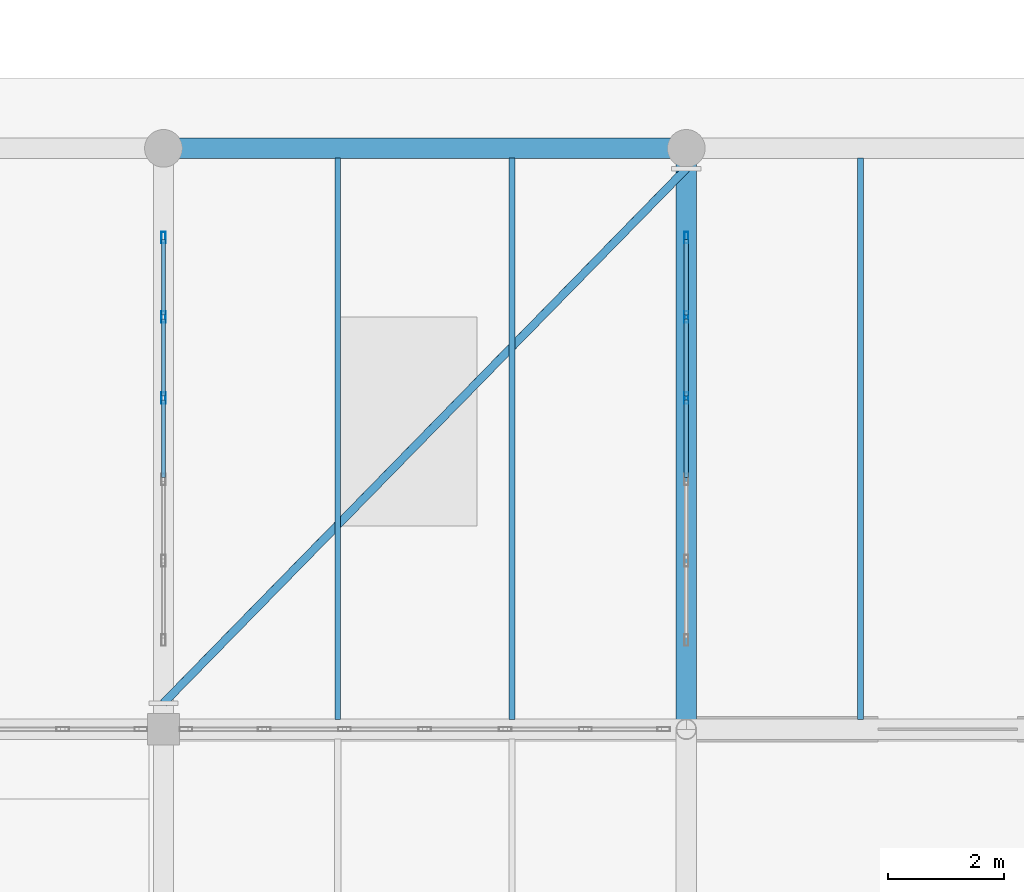
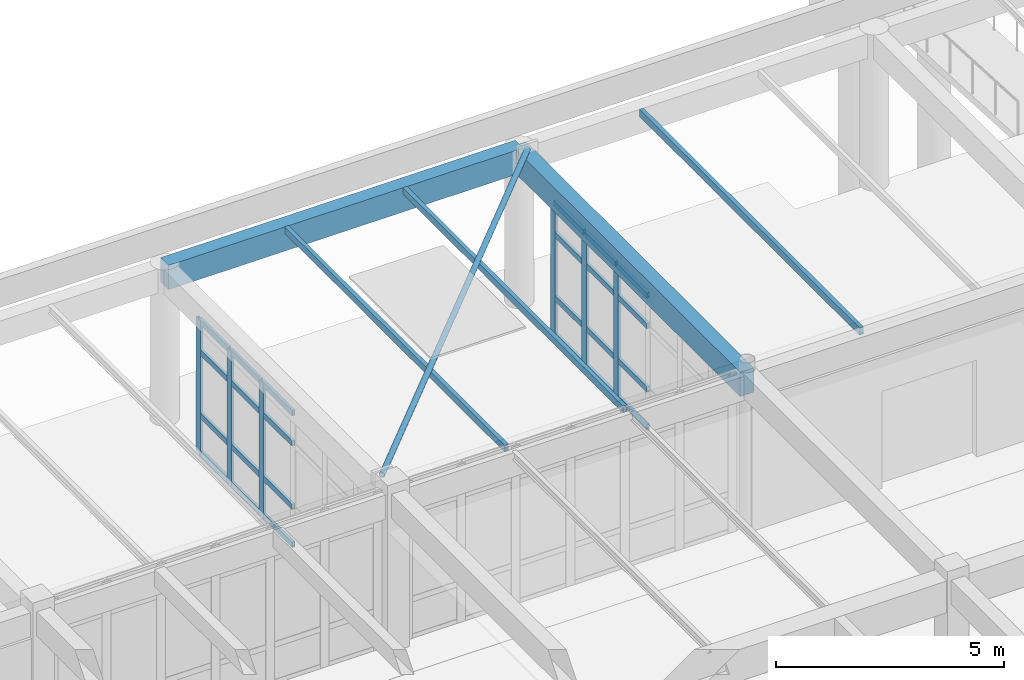
# One storey, part 97 of 186: 31 members, 5 beams, 2 elements without a shape of their own.
"""IFC4 building model written with IfcOpenShell, lengths in metres."""

from ifc_helpers import new_model, si_unit, direction, frame, origin, origin_2d, place, context, subcontext, project, spatial, rectangle, hollow_rectangle, hollow_circle, extrude, material, layer, layer_set, material_profile, profile_set, type_object, element, aggregate, save


model = new_model("IFC4")

# Units and contexts
model_context = context("Model", 3, precision=1e-05, world=origin(), true_north=direction((0.0, 1.0)))
body_context = subcontext(model_context, "Body", "Model", "MODEL_VIEW")
ifc_project = project(units=[si_unit("LENGTHUNIT", "METRE"), si_unit("AREAUNIT", "SQUARE_METRE"), si_unit("VOLUMEUNIT", "CUBIC_METRE"), si_unit("PLANEANGLEUNIT", "RADIAN"), si_unit("MASSUNIT", "GRAM", prefix="KILO")], contexts=[model_context])

# Site, building, storey
site_placement = place(None, origin())
site = spatial("IfcSite", under=ifc_project, at=site_placement, CompositionType="ELEMENT")
building_placement = place(site_placement, origin())
building = spatial("IfcBuilding", under=site, at=building_placement, Name="Ornek Quay Market", CompositionType="ELEMENT")
storey_placement = place(building_placement, origin())
storey = spatial("IfcBuildingStorey", under=building, at=storey_placement, Name="L00", CompositionType="ELEMENT", Elevation=0.0)

# Beams
ifc_material_1 = material(Name="Concrete C35/45", Category="concrete")
ifc_material_profile_1 = material_profile(ifc_material_1, rectangle(XDim=0.35009765625, YDim=0.64990234375, at=origin_2d()), Name="RC 350x650", Category="concrete")
ifc_profile_set_1 = profile_set([ifc_material_profile_1], Name="Concrete C35/45")
beam_type_1 = type_object("IfcBeamType", Name="BM-CONC-350x650", PredefinedType="BEAM", material=ifc_profile_set_1)
beam_1_placement = place(storey_placement, frame((72.0, 120.0, 3.864990234375), z_axis=(1.0, 0.0, 0.0), x_axis=(0.0, 1.0, 0.0)))
element("IfcBeam", 1, at=beam_1_placement, inside=storey, type_object=beam_type_1, Name="Primary beam B-CN1-018", PredefinedType="BEAM", context=body_context, shape_type="SweptSolid", body=[
    extrude(rectangle(XDim=0.35009765625, YDim=0.64990234375, at=origin_2d()), origin(), (0.0, 0.0, 1.0), 9.0),
])
beam_2_placement = place(storey_placement, frame((81.0, 110.0, 3.864990234375), z_axis=(0.0, 1.0, 0.0), x_axis=(-1.0, 0.0, 0.0)))
element("IfcBeam", 2, at=beam_2_placement, inside=storey, type_object=beam_type_1, Name="Primary beam B-CN1-027", PredefinedType="BEAM", context=body_context, shape_type="SweptSolid", body=[
    extrude(rectangle(XDim=0.35009765625, YDim=0.64990234375, at=origin_2d()), origin(), (0.0, 0.0, 1.0), 10.0),
])
ifc_material_2 = material(Name="Steel S355", Category="steel")
ifc_material_profile_2 = material_profile(ifc_material_2, hollow_rectangle(XDim=0.10009765625, YDim=0.179931640625, WallThickness=0.008056640625, at=origin_2d()), Name="RHS 180x100x8", Category="steel")
ifc_profile_set_2 = profile_set([ifc_material_profile_2], Name="Steel S355")
beam_type_2 = type_object("IfcBeamType", Name="BM-RHS-RHS180x100x8", PredefinedType="BEAM", material=ifc_profile_set_2)
for number, where, z_axis, x_axis, name in (
    (3, (75.0, 110.1669921875, 4.10009765625), (0.0, 1.0, 0.0), (-1.0, 0.0, 0.0), "Secondary joist SR-03-003"),
    (4, (78.0, 110.1669921875, 4.10009765625), (0.0, 1.0, 0.0), (-1.0, 0.0, 0.0), "Secondary joist SR-03-004"),
):
    element("IfcBeam", number, at=place(storey_placement, frame(where, z_axis=z_axis, x_axis=x_axis)), inside=storey, type_object=beam_type_2, Name=name, PredefinedType="BEAM", context=body_context, shape_type="SweptSolid", body=[
        extrude(hollow_rectangle(XDim=0.10009765625, YDim=0.179931640625, WallThickness=0.008056640625, at=origin_2d()), origin(), (0.0, 0.0, 1.0), 9.666015625),
    ])
ifc_material_profile_3 = material_profile(ifc_material_2, hollow_rectangle(XDim=0.10009765625, YDim=0.199951171875, WallThickness=0.010009765625, at=origin_2d()), Name="RHS 200x100x10", Category="steel")
ifc_profile_set_3 = profile_set([ifc_material_profile_3], Name="Steel S355")
beam_type_3 = type_object("IfcBeamType", Name="BM-RHS-RHS200x100x10", PredefinedType="BEAM", material=ifc_profile_set_3)
beam_3_placement = place(storey_placement, frame((84.0, 110.1669921875, 4.090087890625), z_axis=(0.0, 1.0, 0.0), x_axis=(-1.0, 0.0, 0.0)))
element("IfcBeam", 5, at=beam_3_placement, inside=storey, type_object=beam_type_3, Name="Secondary joist SR-04-003", PredefinedType="BEAM", context=body_context, shape_type="SweptSolid", body=[
    extrude(hollow_rectangle(XDim=0.10009765625, YDim=0.199951171875, WallThickness=0.010009765625, at=origin_2d()), origin(), (0.0, 0.0, 1.0), 9.666015625),
])

# Curtain wall, members
ifc_material_3 = material(Name="Anodised bronze aluminium and triple low-e glass", Category="aluminium")
ifc_layer = layer(ifc_material_3, 0.219970703125, Name="Anodised bronze aluminium and triple low-e glass", Category="aluminium")
ifc_layer_set = layer_set([ifc_layer], Name="Anodised bronze aluminium and triple low-e glass")
curtain_wall_type = type_object("IfcCurtainWallType", Name="CW-PORCH-MOD1500", PredefinedType="USERDEFINED", material=ifc_layer_set)
curtain_wall_1_placement = place(storey_placement, origin())
curtain_wall_1 = element("IfcCurtainWall", 6, at=curtain_wall_1_placement, inside=storey, type_object=curtain_wall_type, Name="Curtain wall CW-151", ObjectType="CURTAIN WALL", PredefinedType="USERDEFINED")
ifc_material_4 = material(Name="Anodised aluminium 6063-T6", Category="aluminium")
ifc_material_profile_4 = material_profile(ifc_material_4, hollow_rectangle(XDim=0.070068359375, YDim=0.199951171875, WallThickness=0.0048828125, at=origin_2d()), Name="CW-MUL-70x200", Category="aluminium")
ifc_profile_set_4 = profile_set([ifc_material_profile_4], Name="Anodised aluminium 6063-T6")
member_type_1 = type_object("IfcMemberType", Name="CW-MUL-70x200", PredefinedType="MULLION", material=ifc_profile_set_4)
member_1_placement = place(storey_placement, frame((72.0, 115.699951171875, 0.0), z_axis=(0.0, 0.0, 1.0), x_axis=(-1.0, 0.0, 0.0)))
member_1 = element("IfcMember", 7, at=member_1_placement, type_object=member_type_1, Name="CW-151 mullion 4", PredefinedType="MULLION", context=body_context, shape_type="SweptSolid", body=[
    extrude(hollow_rectangle(XDim=0.070068359375, YDim=0.199951171875, WallThickness=0.0048828125, at=origin_2d()), origin(), (0.0, 0.0, 1.0), 3.60009765625),
])
member_2_placement = place(storey_placement, frame((72.0, 117.10009765625, 0.0), z_axis=(0.0, 0.0, 1.0), x_axis=(-1.0, 0.0, 0.0)))
member_2 = element("IfcMember", 8, at=member_2_placement, type_object=member_type_1, Name="CW-151 mullion 5", PredefinedType="MULLION", context=body_context, shape_type="SweptSolid", body=[
    extrude(hollow_rectangle(XDim=0.070068359375, YDim=0.199951171875, WallThickness=0.0048828125, at=origin_2d()), origin(), (0.0, 0.0, 1.0), 3.60009765625),
])
member_3_placement = place(storey_placement, frame((72.0, 118.465087890625, 0.0), z_axis=(0.0, 0.0, 1.0), x_axis=(-1.0, 0.0, 0.0)))
member_3 = element("IfcMember", 9, at=member_3_placement, type_object=member_type_1, Name="CW-151 mullion 6", PredefinedType="MULLION", context=body_context, shape_type="SweptSolid", body=[
    extrude(hollow_rectangle(XDim=0.070068359375, YDim=0.199951171875, WallThickness=0.0048828125, at=origin_2d()), origin(), (0.0, 0.0, 1.0), 3.60009765625),
])

curtain_wall_2_placement = place(storey_placement, origin())
curtain_wall_2 = element("IfcCurtainWall", 10, at=curtain_wall_2_placement, inside=storey, type_object=curtain_wall_type, Name="Curtain wall CW-152", ObjectType="CURTAIN WALL", PredefinedType="USERDEFINED")
member_4_placement = place(storey_placement, frame((81.0, 115.699951171875, 0.0), z_axis=(0.0, 0.0, 1.0), x_axis=(-1.0, 0.0, 0.0)))
member_4 = element("IfcMember", 11, at=member_4_placement, type_object=member_type_1, Name="CW-152 mullion 4", PredefinedType="MULLION", context=body_context, shape_type="SweptSolid", body=[
    extrude(hollow_rectangle(XDim=0.070068359375, YDim=0.199951171875, WallThickness=0.0048828125, at=origin_2d()), origin(), (0.0, 0.0, 1.0), 3.60009765625),
])
member_5_placement = place(storey_placement, frame((81.0, 117.10009765625, 0.0), z_axis=(0.0, 0.0, 1.0), x_axis=(-1.0, 0.0, 0.0)))
member_5 = element("IfcMember", 12, at=member_5_placement, type_object=member_type_1, Name="CW-152 mullion 5", PredefinedType="MULLION", context=body_context, shape_type="SweptSolid", body=[
    extrude(hollow_rectangle(XDim=0.070068359375, YDim=0.199951171875, WallThickness=0.0048828125, at=origin_2d()), origin(), (0.0, 0.0, 1.0), 3.60009765625),
])
member_6_placement = place(storey_placement, frame((81.0, 118.465087890625, 0.0), z_axis=(0.0, 0.0, 1.0), x_axis=(-1.0, 0.0, 0.0)))
member_6 = element("IfcMember", 13, at=member_6_placement, type_object=member_type_1, Name="CW-152 mullion 6", PredefinedType="MULLION", context=body_context, shape_type="SweptSolid", body=[
    extrude(hollow_rectangle(XDim=0.070068359375, YDim=0.199951171875, WallThickness=0.0048828125, at=origin_2d()), origin(), (0.0, 0.0, 1.0), 3.60009765625),
])

# Member
ifc_material_profile_5 = material_profile(ifc_material_4, hollow_rectangle(XDim=0.070068359375, YDim=0.14990234375, WallThickness=0.0048828125, at=origin_2d()), Name="CW-TRN-70x150", Category="aluminium")
ifc_profile_set_5 = profile_set([ifc_material_profile_5], Name="Anodised aluminium 6063-T6")
member_type_2 = type_object("IfcMemberType", Name="CW-TRN-70x150", PredefinedType="USERDEFINED", material=ifc_profile_set_5)
member_7_placement = place(storey_placement, frame((72.0, 114.3349609375, 0.034912109375), z_axis=(0.0, 1.0, 0.0), x_axis=(-1.0, 0.0, 0.0)))
member_7 = element("IfcMember", 14, at=member_7_placement, type_object=member_type_2, Name="CW-151 transom 3.1", ObjectType="TRANSOM", PredefinedType="USERDEFINED", context=body_context, shape_type="SweptSolid", body=[
    extrude(hollow_rectangle(XDim=0.070068359375, YDim=0.14990234375, WallThickness=0.0048828125, at=origin_2d()), origin(), (0.0, 0.0, 1.0), 1.330078125),
])

member_8_placement = place(storey_placement, frame((72.0, 114.3349609375, 1.050048828125), z_axis=(0.0, 1.0, 0.0), x_axis=(-1.0, 0.0, 0.0)))
member_8 = element("IfcMember", 15, at=member_8_placement, type_object=member_type_2, Name="CW-151 transom 3.2", ObjectType="TRANSOM", PredefinedType="USERDEFINED", context=body_context, shape_type="SweptSolid", body=[
    extrude(hollow_rectangle(XDim=0.070068359375, YDim=0.14990234375, WallThickness=0.0048828125, at=origin_2d()), origin(), (0.0, 0.0, 1.0), 1.330078125),
])

member_9_placement = place(storey_placement, frame((72.0, 114.3349609375, 2.75), z_axis=(0.0, 1.0, 0.0), x_axis=(-1.0, 0.0, 0.0)))
member_9 = element("IfcMember", 16, at=member_9_placement, type_object=member_type_2, Name="CW-151 transom 3.3", ObjectType="TRANSOM", PredefinedType="USERDEFINED", context=body_context, shape_type="SweptSolid", body=[
    extrude(hollow_rectangle(XDim=0.070068359375, YDim=0.14990234375, WallThickness=0.0048828125, at=origin_2d()), origin(), (0.0, 0.0, 1.0), 1.330078125),
])

member_10_placement = place(storey_placement, frame((72.0, 114.3349609375, 3.56494140625), z_axis=(0.0, 1.0, 0.0), x_axis=(-1.0, 0.0, 0.0)))
member_10 = element("IfcMember", 17, at=member_10_placement, type_object=member_type_2, Name="CW-151 transom 3.4", ObjectType="TRANSOM", PredefinedType="USERDEFINED", context=body_context, shape_type="SweptSolid", body=[
    extrude(hollow_rectangle(XDim=0.070068359375, YDim=0.14990234375, WallThickness=0.0048828125, at=origin_2d()), origin(), (0.0, 0.0, 1.0), 1.330078125),
])

member_11_placement = place(storey_placement, frame((72.0, 115.735107421875, 0.034912109375), z_axis=(0.0, 1.0, 0.0), x_axis=(-1.0, 0.0, 0.0)))
member_11 = element("IfcMember", 18, at=member_11_placement, type_object=member_type_2, Name="CW-151 transom 4.1", ObjectType="TRANSOM", PredefinedType="USERDEFINED", context=body_context, shape_type="SweptSolid", body=[
    extrude(hollow_rectangle(XDim=0.070068359375, YDim=0.14990234375, WallThickness=0.0048828125, at=origin_2d()), origin(), (0.0, 0.0, 1.0), 1.329833984375),
])

member_12_placement = place(storey_placement, frame((72.0, 115.735107421875, 1.050048828125), z_axis=(0.0, 1.0, 0.0), x_axis=(-1.0, 0.0, 0.0)))
member_12 = element("IfcMember", 19, at=member_12_placement, type_object=member_type_2, Name="CW-151 transom 4.2", ObjectType="TRANSOM", PredefinedType="USERDEFINED", context=body_context, shape_type="SweptSolid", body=[
    extrude(hollow_rectangle(XDim=0.070068359375, YDim=0.14990234375, WallThickness=0.0048828125, at=origin_2d()), origin(), (0.0, 0.0, 1.0), 1.329833984375),
])

member_13_placement = place(storey_placement, frame((72.0, 115.735107421875, 2.75), z_axis=(0.0, 1.0, 0.0), x_axis=(-1.0, 0.0, 0.0)))
member_13 = element("IfcMember", 20, at=member_13_placement, type_object=member_type_2, Name="CW-151 transom 4.3", ObjectType="TRANSOM", PredefinedType="USERDEFINED", context=body_context, shape_type="SweptSolid", body=[
    extrude(hollow_rectangle(XDim=0.070068359375, YDim=0.14990234375, WallThickness=0.0048828125, at=origin_2d()), origin(), (0.0, 0.0, 1.0), 1.329833984375),
])

member_14_placement = place(storey_placement, frame((72.0, 115.735107421875, 3.56494140625), z_axis=(0.0, 1.0, 0.0), x_axis=(-1.0, 0.0, 0.0)))
member_14 = element("IfcMember", 21, at=member_14_placement, type_object=member_type_2, Name="CW-151 transom 4.4", ObjectType="TRANSOM", PredefinedType="USERDEFINED", context=body_context, shape_type="SweptSolid", body=[
    extrude(hollow_rectangle(XDim=0.070068359375, YDim=0.14990234375, WallThickness=0.0048828125, at=origin_2d()), origin(), (0.0, 0.0, 1.0), 1.329833984375),
])

member_15_placement = place(storey_placement, frame((72.0, 117.135009765625, 0.034912109375), z_axis=(0.0, 1.0, 0.0), x_axis=(-1.0, 0.0, 0.0)))
member_15 = element("IfcMember", 22, at=member_15_placement, type_object=member_type_2, Name="CW-151 transom 5.1", ObjectType="TRANSOM", PredefinedType="USERDEFINED", context=body_context, shape_type="SweptSolid", body=[
    extrude(hollow_rectangle(XDim=0.070068359375, YDim=0.14990234375, WallThickness=0.0048828125, at=origin_2d()), origin(), (0.0, 0.0, 1.0), 1.294921875),
])

member_16_placement = place(storey_placement, frame((72.0, 117.135009765625, 1.050048828125), z_axis=(0.0, 1.0, 0.0), x_axis=(-1.0, 0.0, 0.0)))
member_16 = element("IfcMember", 23, at=member_16_placement, type_object=member_type_2, Name="CW-151 transom 5.2", ObjectType="TRANSOM", PredefinedType="USERDEFINED", context=body_context, shape_type="SweptSolid", body=[
    extrude(hollow_rectangle(XDim=0.070068359375, YDim=0.14990234375, WallThickness=0.0048828125, at=origin_2d()), origin(), (0.0, 0.0, 1.0), 1.294921875),
])

member_17_placement = place(storey_placement, frame((72.0, 117.135009765625, 2.75), z_axis=(0.0, 1.0, 0.0), x_axis=(-1.0, 0.0, 0.0)))
member_17 = element("IfcMember", 24, at=member_17_placement, type_object=member_type_2, Name="CW-151 transom 5.3", ObjectType="TRANSOM", PredefinedType="USERDEFINED", context=body_context, shape_type="SweptSolid", body=[
    extrude(hollow_rectangle(XDim=0.070068359375, YDim=0.14990234375, WallThickness=0.0048828125, at=origin_2d()), origin(), (0.0, 0.0, 1.0), 1.294921875),
])

member_18_placement = place(storey_placement, frame((72.0, 117.135009765625, 3.56494140625), z_axis=(0.0, 1.0, 0.0), x_axis=(-1.0, 0.0, 0.0)))
member_18 = element("IfcMember", 25, at=member_18_placement, type_object=member_type_2, Name="CW-151 transom 5.4", ObjectType="TRANSOM", PredefinedType="USERDEFINED", context=body_context, shape_type="SweptSolid", body=[
    extrude(hollow_rectangle(XDim=0.070068359375, YDim=0.14990234375, WallThickness=0.0048828125, at=origin_2d()), origin(), (0.0, 0.0, 1.0), 1.294921875),
])

aggregate(curtain_wall_1, [member_1, member_2, member_3, member_7, member_8, member_9, member_10, member_11, member_12, member_13, member_14, member_15, member_16, member_17, member_18])

member_19_placement = place(storey_placement, frame((81.0, 114.3349609375, 0.034912109375), z_axis=(0.0, 1.0, 0.0), x_axis=(-1.0, 0.0, 0.0)))
member_19 = element("IfcMember", 26, at=member_19_placement, type_object=member_type_2, Name="CW-152 transom 3.1", ObjectType="TRANSOM", PredefinedType="USERDEFINED", context=body_context, shape_type="SweptSolid", body=[
    extrude(hollow_rectangle(XDim=0.070068359375, YDim=0.14990234375, WallThickness=0.0048828125, at=origin_2d()), origin(), (0.0, 0.0, 1.0), 1.330078125),
])

member_20_placement = place(storey_placement, frame((81.0, 114.3349609375, 1.050048828125), z_axis=(0.0, 1.0, 0.0), x_axis=(-1.0, 0.0, 0.0)))
member_20 = element("IfcMember", 27, at=member_20_placement, type_object=member_type_2, Name="CW-152 transom 3.2", ObjectType="TRANSOM", PredefinedType="USERDEFINED", context=body_context, shape_type="SweptSolid", body=[
    extrude(hollow_rectangle(XDim=0.070068359375, YDim=0.14990234375, WallThickness=0.0048828125, at=origin_2d()), origin(), (0.0, 0.0, 1.0), 1.330078125),
])

member_21_placement = place(storey_placement, frame((81.0, 114.3349609375, 2.75), z_axis=(0.0, 1.0, 0.0), x_axis=(-1.0, 0.0, 0.0)))
member_21 = element("IfcMember", 28, at=member_21_placement, type_object=member_type_2, Name="CW-152 transom 3.3", ObjectType="TRANSOM", PredefinedType="USERDEFINED", context=body_context, shape_type="SweptSolid", body=[
    extrude(hollow_rectangle(XDim=0.070068359375, YDim=0.14990234375, WallThickness=0.0048828125, at=origin_2d()), origin(), (0.0, 0.0, 1.0), 1.330078125),
])

member_22_placement = place(storey_placement, frame((81.0, 114.3349609375, 3.56494140625), z_axis=(0.0, 1.0, 0.0), x_axis=(-1.0, 0.0, 0.0)))
member_22 = element("IfcMember", 29, at=member_22_placement, type_object=member_type_2, Name="CW-152 transom 3.4", ObjectType="TRANSOM", PredefinedType="USERDEFINED", context=body_context, shape_type="SweptSolid", body=[
    extrude(hollow_rectangle(XDim=0.070068359375, YDim=0.14990234375, WallThickness=0.0048828125, at=origin_2d()), origin(), (0.0, 0.0, 1.0), 1.330078125),
])

member_23_placement = place(storey_placement, frame((81.0, 115.735107421875, 0.034912109375), z_axis=(0.0, 1.0, 0.0), x_axis=(-1.0, 0.0, 0.0)))
member_23 = element("IfcMember", 30, at=member_23_placement, type_object=member_type_2, Name="CW-152 transom 4.1", ObjectType="TRANSOM", PredefinedType="USERDEFINED", context=body_context, shape_type="SweptSolid", body=[
    extrude(hollow_rectangle(XDim=0.070068359375, YDim=0.14990234375, WallThickness=0.0048828125, at=origin_2d()), origin(), (0.0, 0.0, 1.0), 1.329833984375),
])

member_24_placement = place(storey_placement, frame((81.0, 115.735107421875, 1.050048828125), z_axis=(0.0, 1.0, 0.0), x_axis=(-1.0, 0.0, 0.0)))
member_24 = element("IfcMember", 31, at=member_24_placement, type_object=member_type_2, Name="CW-152 transom 4.2", ObjectType="TRANSOM", PredefinedType="USERDEFINED", context=body_context, shape_type="SweptSolid", body=[
    extrude(hollow_rectangle(XDim=0.070068359375, YDim=0.14990234375, WallThickness=0.0048828125, at=origin_2d()), origin(), (0.0, 0.0, 1.0), 1.329833984375),
])

member_25_placement = place(storey_placement, frame((81.0, 115.735107421875, 2.75), z_axis=(0.0, 1.0, 0.0), x_axis=(-1.0, 0.0, 0.0)))
member_25 = element("IfcMember", 32, at=member_25_placement, type_object=member_type_2, Name="CW-152 transom 4.3", ObjectType="TRANSOM", PredefinedType="USERDEFINED", context=body_context, shape_type="SweptSolid", body=[
    extrude(hollow_rectangle(XDim=0.070068359375, YDim=0.14990234375, WallThickness=0.0048828125, at=origin_2d()), origin(), (0.0, 0.0, 1.0), 1.329833984375),
])

member_26_placement = place(storey_placement, frame((81.0, 115.735107421875, 3.56494140625), z_axis=(0.0, 1.0, 0.0), x_axis=(-1.0, 0.0, 0.0)))
member_26 = element("IfcMember", 33, at=member_26_placement, type_object=member_type_2, Name="CW-152 transom 4.4", ObjectType="TRANSOM", PredefinedType="USERDEFINED", context=body_context, shape_type="SweptSolid", body=[
    extrude(hollow_rectangle(XDim=0.070068359375, YDim=0.14990234375, WallThickness=0.0048828125, at=origin_2d()), origin(), (0.0, 0.0, 1.0), 1.329833984375),
])

member_27_placement = place(storey_placement, frame((81.0, 117.135009765625, 0.034912109375), z_axis=(0.0, 1.0, 0.0), x_axis=(-1.0, 0.0, 0.0)))
member_27 = element("IfcMember", 34, at=member_27_placement, type_object=member_type_2, Name="CW-152 transom 5.1", ObjectType="TRANSOM", PredefinedType="USERDEFINED", context=body_context, shape_type="SweptSolid", body=[
    extrude(hollow_rectangle(XDim=0.070068359375, YDim=0.14990234375, WallThickness=0.0048828125, at=origin_2d()), origin(), (0.0, 0.0, 1.0), 1.294921875),
])

member_28_placement = place(storey_placement, frame((81.0, 117.135009765625, 1.050048828125), z_axis=(0.0, 1.0, 0.0), x_axis=(-1.0, 0.0, 0.0)))
member_28 = element("IfcMember", 35, at=member_28_placement, type_object=member_type_2, Name="CW-152 transom 5.2", ObjectType="TRANSOM", PredefinedType="USERDEFINED", context=body_context, shape_type="SweptSolid", body=[
    extrude(hollow_rectangle(XDim=0.070068359375, YDim=0.14990234375, WallThickness=0.0048828125, at=origin_2d()), origin(), (0.0, 0.0, 1.0), 1.294921875),
])

member_29_placement = place(storey_placement, frame((81.0, 117.135009765625, 2.75), z_axis=(0.0, 1.0, 0.0), x_axis=(-1.0, 0.0, 0.0)))
member_29 = element("IfcMember", 36, at=member_29_placement, type_object=member_type_2, Name="CW-152 transom 5.3", ObjectType="TRANSOM", PredefinedType="USERDEFINED", context=body_context, shape_type="SweptSolid", body=[
    extrude(hollow_rectangle(XDim=0.070068359375, YDim=0.14990234375, WallThickness=0.0048828125, at=origin_2d()), origin(), (0.0, 0.0, 1.0), 1.294921875),
])

member_30_placement = place(storey_placement, frame((81.0, 117.135009765625, 3.56494140625), z_axis=(0.0, 1.0, 0.0), x_axis=(-1.0, 0.0, 0.0)))
member_30 = element("IfcMember", 37, at=member_30_placement, type_object=member_type_2, Name="CW-152 transom 5.4", ObjectType="TRANSOM", PredefinedType="USERDEFINED", context=body_context, shape_type="SweptSolid", body=[
    extrude(hollow_rectangle(XDim=0.070068359375, YDim=0.14990234375, WallThickness=0.0048828125, at=origin_2d()), origin(), (0.0, 0.0, 1.0), 1.294921875),
])

aggregate(curtain_wall_2, [member_4, member_5, member_6, member_19, member_20, member_21, member_22, member_23, member_24, member_25, member_26, member_27, member_28, member_29, member_30])

ifc_material_profile_6 = material_profile(ifc_material_2, hollow_circle(Radius=0.06982421875, WallThickness=0.008056640625, at=origin_2d()), Name="CHS 139.7x8", Category="steel")
ifc_profile_set_6 = profile_set([ifc_material_profile_6], Name="Steel S355")
member_type_3 = type_object("IfcMemberType", Name="MBR-BRC-CHS139", PredefinedType="BRACE", material=ifc_profile_set_6)
member_31_placement = place(storey_placement, frame((72.0, 110.449951171875, 4.260009765625), z_axis=(0.699296051965, 0.714832170307, 0.0), x_axis=(-0.714832170307, 0.699296051965, 0.0)))
element("IfcMember", 38, at=member_31_placement, inside=storey, type_object=member_type_3, Name="Quay colonnade wind brace QB-03", PredefinedType="BRACE", context=body_context, shape_type="SweptSolid", body=[
    extrude(hollow_circle(Radius=0.06982421875, WallThickness=0.008056640625, at=origin_2d()), origin(), (0.0, 0.0, 1.0), 12.8701171875),
])

save(model, "model.ifc")
